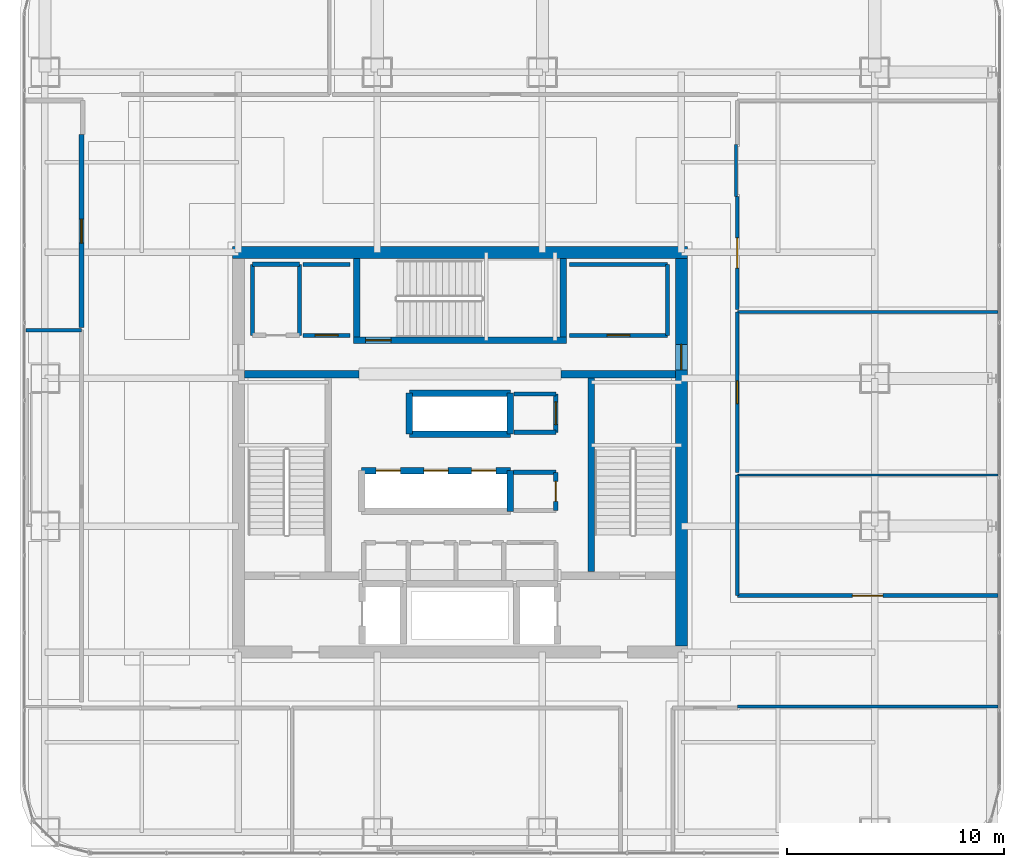
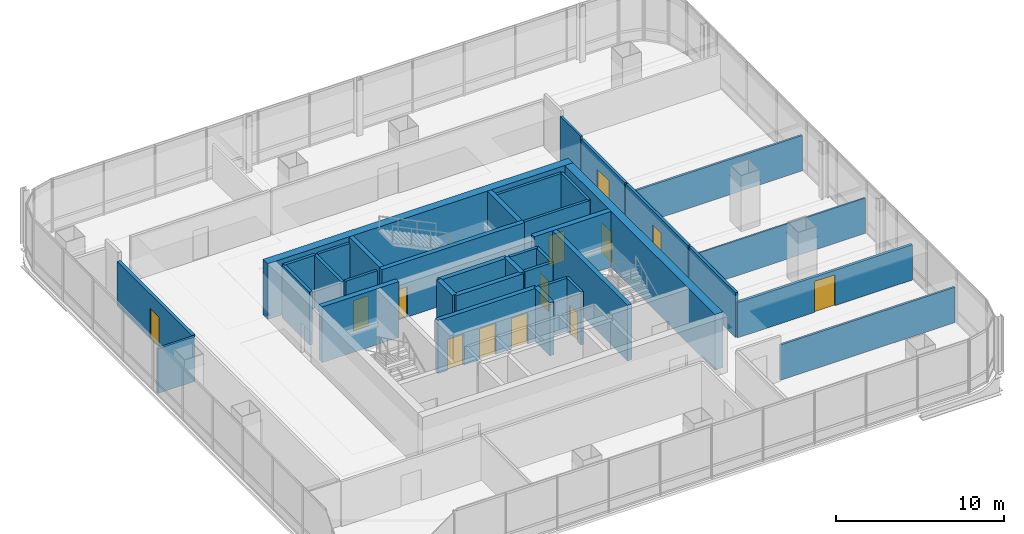
# One storey, part 34 of 42: 37 walls, 13 doors, 13 openings.
"""IFC4 building model written with IfcOpenShell, lengths in metres."""

from ifc_helpers import new_model, si_unit, direction, frame, frame_2d, origin, place, context, subcontext, project, spatial, rectangle, extrude, material, layer, layer_set, type_object, element, fill, save


model = new_model("IFC4")

# Units and contexts
model_context = context("Model", 3, precision=1e-05, world=origin(), true_north=direction((0.0, 1.0)))
body_context = subcontext(model_context, "Body", "Model", "MODEL_VIEW")
ifc_project = project(units=[si_unit("LENGTHUNIT", "METRE"), si_unit("AREAUNIT", "SQUARE_METRE"), si_unit("VOLUMEUNIT", "CUBIC_METRE"), si_unit("PLANEANGLEUNIT", "RADIAN"), si_unit("MASSUNIT", "GRAM", prefix="KILO")], contexts=[model_context])

# Site, building, storey
site_placement = place(None, origin())
site = spatial("IfcSite", under=ifc_project, at=site_placement, CompositionType="ELEMENT")
building_placement = place(site_placement, origin())
building = spatial("IfcBuilding", under=site, at=building_placement, Name="Punatoya Terracotta Tower", CompositionType="ELEMENT")
storey_placement = place(building_placement, frame((0.0, 0.0, 263.550048828125)))
storey = spatial("IfcBuildingStorey", under=building, at=storey_placement, Name="L62", CompositionType="ELEMENT", Elevation=263.550048828125)

# Wall
ifc_material_1 = material(Name="Concrete C50/60", Category="concrete")
ifc_layer_1 = layer(ifc_material_1, 0.550048828125)
ifc_layer_set_1 = layer_set([ifc_layer_1], Name="Concrete C50/60")
wall_type_1 = type_object("IfcWallType", Name="WL-COR-550", PredefinedType="SHEAR", material=ifc_layer_set_1)
wall_1_placement = place(storey_placement, frame((-10.47509765625, 9.199951171875, 0.0), z_axis=(0.0, 0.0, 1.0), x_axis=(1.0, 0.0, 0.0)))
element("IfcWall", 1, at=wall_1_placement, inside=storey, type_object=wall_type_1, Name="L62 Core Shear Wall N", PredefinedType="SHEAR", context=body_context, shape_type="SweptSolid", body=[
    extrude(rectangle(XDim=20.9501953125, YDim=0.550048828125, at=frame_2d((10.47509765625, 0.0))), origin(), (0.0, 0.0, 1.0), 4.050048828125),
])

# Wall, opening, door
wall_2_placement = place(storey_placement, frame((10.199951171875, 8.925048828125, 0.0), z_axis=(0.0, 0.0, 1.0), x_axis=(0.0, -1.0, 0.0)))
wall_2 = element("IfcWall", 2, at=wall_2_placement, inside=storey, type_object=wall_type_1, Name="L62 Core Shear Wall E", PredefinedType="SHEAR", context=body_context, shape_type="SweptSolid", body=[
    extrude(rectangle(XDim=17.85009765625, YDim=0.550048828125, at=frame_2d((8.925048828125, 0.0))), origin(), (0.0, 0.0, 1.0), 4.050048828125),
])
opening_1_placement = place(wall_2_placement, frame((3.955078125, 0.0, 0.0)))
opening_1 = element("IfcOpeningElement", 3, at=opening_1_placement, cuts=wall_2, Name="Opening SD-01", PredefinedType="OPENING", context=body_context, shape_type="SweptSolid", body=[
    extrude(rectangle(XDim=1.179931640625, YDim=2.199951171875, at=frame_2d((0.58984375, 1.10009765625))), frame((0.0, 0.284912109375, 0.0), z_axis=(0.0, -1.0, 0.0), x_axis=(1.0, 0.0, 0.0)), (0.0, 0.0, 1.0), 0.570068359375),
])
ifc_material_2 = material(Name="Galvanised Steel Pressurized Stair Fire Door", Category="steel")
door_type_1 = type_object("IfcDoorType", Name="DR-STR-1180", OperationType="NOTDEFINED", PredefinedType="DOOR", material=ifc_material_2)
door_1_placement = place(opening_1_placement, origin())
door_1 = element("IfcDoor", 4, at=door_1_placement, inside=storey, type_object=door_type_1, Name="L62 Central Lift Lobby East Fire Door", OperationType="SINGLE_SWING_RIGHT", OverallHeight=2.199951171875, OverallWidth=1.179931640625, PredefinedType="DOOR", context=body_context, shape_type="SweptSolid", body=[
    extrude(rectangle(XDim=1.179931640625, YDim=2.199951171875, at=frame_2d((0.58984375, 1.10009765625))), frame((0.0, 0.02490234375, 0.0), z_axis=(0.0, -1.0, 0.0), x_axis=(1.0, 0.0, 0.0)), (0.0, 0.0, 1.0), 0.050048828125),
])
fill(opening_1, door_1)

# Wall
ifc_material_3 = material(Name="Gypsum Fireboard + Steel Stud", Category="steel")
ifc_layer_2 = layer(ifc_material_3, 0.179931640625)
ifc_layer_set_2 = layer_set([ifc_layer_2], Name="Gypsum Fireboard + Steel Stud")
wall_type_2 = type_object("IfcWallType", Name="WL-CORR-180", PredefinedType="PARTITIONING", material=ifc_layer_set_2)
wall_3_placement = place(storey_placement, frame((-5.050048828125, 8.64990234375, 0.0), z_axis=(0.0, 0.0, 1.0), x_axis=(-1.0, 0.0, 0.0)))
element("IfcWall", 5, at=wall_3_placement, inside=storey, type_object=wall_type_2, Name="L62 West Core Print Room Partition 20", PredefinedType="PARTITIONING", context=body_context, shape_type="SweptSolid", body=[
    extrude(rectangle(XDim=2.169921875, YDim=0.179931640625, at=frame_2d((1.0849609375, 0.0))), origin(), (0.0, 0.0, 1.0), 3.849853515625),
])

# Wall, opening, door
wall_4_placement = place(storey_placement, frame((-7.219970703125, 5.3798828125, 0.0), z_axis=(0.0, 0.0, 1.0), x_axis=(1.0, 0.0, 0.0)))
wall_4 = element("IfcWall", 6, at=wall_4_placement, inside=storey, type_object=wall_type_2, Name="L62 West Core Print Room Partition 21", PredefinedType="PARTITIONING", context=body_context, shape_type="SweptSolid", body=[
    extrude(rectangle(XDim=2.169921875, YDim=0.179931640625, at=frame_2d((1.0849609375, 0.0))), origin(), (0.0, 0.0, 1.0), 3.849853515625),
])
opening_2_placement = place(wall_4_placement, frame((0.56005859375, 0.0, 0.0)))
opening_2 = element("IfcOpeningElement", 7, at=opening_2_placement, cuts=wall_4, Name="Opening OD-01", PredefinedType="OPENING", context=body_context, shape_type="SweptSolid", body=[
    extrude(rectangle(XDim=1.050048828125, YDim=2.199951171875, at=frame_2d((0.52490234375, 1.10009765625))), frame((0.0, 0.099853515625, 0.0), z_axis=(0.0, -1.0, 0.0), x_axis=(1.0, 0.0, 0.0)), (0.0, 0.0, 1.0), 0.199951171875),
])
ifc_material_4 = material(Name="Bengal Teak Solid-Core Leaf")
door_type_2 = type_object("IfcDoorType", Name="DR-OFF-1050", OperationType="NOTDEFINED", PredefinedType="DOOR", material=ifc_material_4)
door_2_placement = place(opening_2_placement, origin())
door_2 = element("IfcDoor", 8, at=door_2_placement, inside=storey, type_object=door_type_2, Name="L62 West Print Room Door", OperationType="SINGLE_SWING_RIGHT", OverallHeight=2.199951171875, OverallWidth=1.050048828125, PredefinedType="DOOR", context=body_context, shape_type="SweptSolid", body=[
    extrude(rectangle(XDim=1.050048828125, YDim=2.199951171875, at=frame_2d((0.52490234375, 1.10009765625))), frame((0.0, 0.02490234375, 0.0), z_axis=(0.0, -1.0, 0.0), x_axis=(1.0, 0.0, 0.0)), (0.0, 0.0, 1.0), 0.050048828125),
])
fill(opening_2, door_2)

# Walls
wall_5_placement = place(storey_placement, frame((9.550048828125, 5.3798828125, 0.0), z_axis=(0.0, 0.0, 1.0), x_axis=(0.0, 1.0, 0.0)))
element("IfcWall", 9, at=wall_5_placement, inside=storey, type_object=wall_type_2, Name="L62 East Core Wellness Room Partition 22", PredefinedType="PARTITIONING", context=body_context, shape_type="SweptSolid", body=[
    extrude(rectangle(XDim=3.27001953125, YDim=0.179931640625, at=frame_2d((1.635009765625, 0.0))), origin(), (0.0, 0.0, 1.0), 3.849853515625),
])
wall_6_placement = place(storey_placement, frame((9.550048828125, 8.64990234375, 0.0), z_axis=(0.0, 0.0, 1.0), x_axis=(-1.0, 0.0, 0.0)))
element("IfcWall", 10, at=wall_6_placement, inside=storey, type_object=wall_type_2, Name="L62 East Core Wellness Room Partition 23", PredefinedType="PARTITIONING", context=body_context, shape_type="SweptSolid", body=[
    extrude(rectangle(XDim=4.5, YDim=0.179931640625, at=frame_2d((2.25, 0.0))), origin(), (0.0, 0.0, 1.0), 3.849853515625),
])

# Wall, opening, door
wall_7_placement = place(storey_placement, frame((5.050048828125, 5.3798828125, 0.0), z_axis=(0.0, 0.0, 1.0), x_axis=(1.0, 0.0, 0.0)))
wall_7 = element("IfcWall", 11, at=wall_7_placement, inside=storey, type_object=wall_type_2, Name="L62 East Core Wellness Room Partition 24", PredefinedType="PARTITIONING", context=body_context, shape_type="SweptSolid", body=[
    extrude(rectangle(XDim=4.5, YDim=0.179931640625, at=frame_2d((2.25, 0.0))), origin(), (0.0, 0.0, 1.0), 3.849853515625),
])
opening_3_placement = place(wall_7_placement, frame((1.72509765625, 0.0, 0.0)))
opening_3 = element("IfcOpeningElement", 12, at=opening_3_placement, cuts=wall_7, Name="Opening OD-01", PredefinedType="OPENING", context=body_context, shape_type="SweptSolid", body=[
    extrude(rectangle(XDim=1.050048828125, YDim=2.199951171875, at=frame_2d((0.52490234375, 1.10009765625))), frame((0.0, 0.099853515625, 0.0), z_axis=(0.0, -1.0, 0.0), x_axis=(1.0, 0.0, 0.0)), (0.0, 0.0, 1.0), 0.199951171875),
])
door_3_placement = place(opening_3_placement, origin())
door_3 = element("IfcDoor", 13, at=door_3_placement, inside=storey, type_object=door_type_2, Name="L62 East Wellness Room Door", OperationType="SINGLE_SWING_LEFT", OverallHeight=2.199951171875, OverallWidth=1.050048828125, PredefinedType="DOOR", context=body_context, shape_type="SweptSolid", body=[
    extrude(rectangle(XDim=1.050048828125, YDim=2.199951171875, at=frame_2d((0.52490234375, 1.10009765625))), frame((0.0, 0.02490234375, 0.0), z_axis=(0.0, -1.0, 0.0), x_axis=(1.0, 0.0, 0.0)), (0.0, 0.0, 1.0), 0.050048828125),
])
fill(opening_3, door_3)

wall_8_placement = place(storey_placement, frame((24.77001953125, -6.60009765625, 0.0), z_axis=(0.0, 0.0, 1.0), x_axis=(-1.0, 0.0, 0.0)))
wall_8 = element("IfcWall", 14, at=wall_8_placement, inside=storey, type_object=wall_type_2, Name="L62 Open-Plan Press Briefing Room Partition 33", PredefinedType="PARTITIONING", context=body_context, shape_type="SweptSolid", body=[
    extrude(rectangle(XDim=12.0, YDim=0.179931640625, at=frame_2d((6.0, 0.0))), origin(), (0.0, 0.0, 1.0), 2.56396484375),
])
opening_4_placement = place(wall_8_placement, frame((5.300048828125, 0.0, 0.0)))
opening_4 = element("IfcOpeningElement", 15, at=opening_4_placement, cuts=wall_8, Name="Opening BD-01", PredefinedType="OPENING", context=body_context, shape_type="SweptSolid", body=[
    extrude(rectangle(XDim=1.39990234375, YDim=2.25, at=frame_2d((0.699951171875, 1.125))), frame((0.0, 0.099853515625, 0.0), z_axis=(0.0, -1.0, 0.0), x_axis=(1.0, 0.0, 0.0)), (0.0, 0.0, 1.0), 0.199951171875),
])
ifc_material_5 = material(Name="Bengal Teak Acoustic Leaf")
door_type_3 = type_object("IfcDoorType", Name="DR-BRD-1400", OperationType="NOTDEFINED", PredefinedType="DOOR", material=ifc_material_5)
door_4_placement = place(opening_4_placement, origin())
door_4 = element("IfcDoor", 16, at=door_4_placement, inside=storey, type_object=door_type_3, Name="L62 Open-Plan Press Briefing Room Door", OperationType="SINGLE_SWING_LEFT", OverallHeight=2.25, OverallWidth=1.39990234375, PredefinedType="DOOR", context=body_context, shape_type="SweptSolid", body=[
    extrude(rectangle(XDim=1.39990234375, YDim=2.25, at=frame_2d((0.699951171875, 1.125))), frame((0.0, 0.02490234375, 0.0), z_axis=(0.0, -1.0, 0.0), x_axis=(1.0, 0.0, 0.0)), (0.0, 0.0, 1.0), 0.050048828125),
])
fill(opening_4, door_4)

# Wall
wall_9_placement = place(storey_placement, frame((12.77001953125, -6.60009765625, 0.0), z_axis=(0.0, 0.0, 1.0), x_axis=(0.0, 1.0, 0.0)))
element("IfcWall", 17, at=wall_9_placement, inside=storey, type_object=wall_type_2, Name="L62 Open-Plan Press Briefing Room Partition 34", PredefinedType="PARTITIONING", context=body_context, shape_type="SweptSolid", body=[
    extrude(rectangle(XDim=5.55419921875, YDim=0.179931640625, at=frame_2d((2.777099609375, 0.0))), origin(), (0.0, 0.0, 1.0), 3.243896484375),
])

# Wall, opening, door
wall_10_placement = place(storey_placement, frame((12.77001953125, -0.926025390625, 0.0), z_axis=(0.0, 0.0, 1.0), x_axis=(0.0, 1.0, 0.0)))
wall_10 = element("IfcWall", 18, at=wall_10_placement, inside=storey, type_object=wall_type_2, Name="L62 Open-Plan Acoustic Wellness Room Partition 38", PredefinedType="PARTITIONING", context=body_context, shape_type="SweptSolid", body=[
    extrude(rectangle(XDim=7.385986328125, YDim=0.179931640625, at=frame_2d((3.69287109375, 0.0))), origin(), (0.0, 0.0, 1.0), 3.243896484375),
])
opening_5_placement = place(wall_10_placement, frame((3.16796875, 0.0, 0.0)))
opening_5 = element("IfcOpeningElement", 19, at=opening_5_placement, cuts=wall_10, Name="Opening OD-01", PredefinedType="OPENING", context=body_context, shape_type="SweptSolid", body=[
    extrude(rectangle(XDim=1.050048828125, YDim=2.199951171875, at=frame_2d((0.52490234375, 1.10009765625))), frame((0.0, 0.099853515625, 0.0), z_axis=(0.0, -1.0, 0.0), x_axis=(1.0, 0.0, 0.0)), (0.0, 0.0, 1.0), 0.199951171875),
])
door_5_placement = place(opening_5_placement, origin())
door_5 = element("IfcDoor", 20, at=door_5_placement, inside=storey, type_object=door_type_2, Name="L62 Open-Plan Acoustic Wellness Room Door", OperationType="SINGLE_SWING_LEFT", OverallHeight=2.199951171875, OverallWidth=1.050048828125, PredefinedType="DOOR", context=body_context, shape_type="SweptSolid", body=[
    extrude(rectangle(XDim=1.050048828125, YDim=2.199951171875, at=frame_2d((0.52490234375, 1.10009765625))), frame((0.0, 0.02490234375, 0.0), z_axis=(0.0, -1.0, 0.0), x_axis=(1.0, 0.0, 0.0)), (0.0, 0.0, 1.0), 0.050048828125),
])
fill(opening_5, door_5)

wall_11_placement = place(storey_placement, frame((12.77001953125, 6.580078125, 0.0), z_axis=(0.0, 0.0, 1.0), x_axis=(0.0, 1.0, 0.0)))
wall_11 = element("IfcWall", 21, at=wall_11_placement, inside=storey, type_object=wall_type_2, Name="L62 Editorial Conference Room Partition 43", PredefinedType="PARTITIONING", context=body_context, shape_type="SweptSolid", body=[
    extrude(rectangle(XDim=5.18994140625, YDim=0.179931640625, at=frame_2d((2.594970703125, 0.0))), origin(), (0.0, 0.0, 1.0), 3.243896484375),
])
opening_6_placement = place(wall_11_placement, frame((1.89501953125, 0.0, 0.0)))
opening_6 = element("IfcOpeningElement", 22, at=opening_6_placement, cuts=wall_11, Name="Opening BD-01", PredefinedType="OPENING", context=body_context, shape_type="SweptSolid", body=[
    extrude(rectangle(XDim=1.39990234375, YDim=2.25, at=frame_2d((0.699951171875, 1.125))), frame((0.0, 0.099853515625, 0.0), z_axis=(0.0, -1.0, 0.0), x_axis=(1.0, 0.0, 0.0)), (0.0, 0.0, 1.0), 0.199951171875),
])
door_6_placement = place(opening_6_placement, origin())
door_6 = element("IfcDoor", 23, at=door_6_placement, inside=storey, type_object=door_type_3, Name="L62 Editorial Conference Room Door", OperationType="SINGLE_SWING_LEFT", OverallHeight=2.25, OverallWidth=1.39990234375, PredefinedType="DOOR", context=body_context, shape_type="SweptSolid", body=[
    extrude(rectangle(XDim=1.39990234375, YDim=2.25, at=frame_2d((0.699951171875, 1.125))), frame((0.0, 0.02490234375, 0.0), z_axis=(0.0, -1.0, 0.0), x_axis=(1.0, 0.0, 0.0)), (0.0, 0.0, 1.0), 0.050048828125),
])
fill(opening_6, door_6)

ifc_material_6 = material(Name="Concrete C40/50", Category="concrete")
ifc_layer_3 = layer(ifc_material_6, 0.219970703125)
ifc_layer_set_3 = layer_set([ifc_layer_3], Name="Concrete C40/50")
wall_type_3 = type_object("IfcWallType", Name="WL-FIR-220", PredefinedType="SOLIDWALL", material=ifc_layer_set_3)
wall_12_placement = place(storey_placement, frame((-17.419921875, 14.6201171875, 0.0), z_axis=(0.0, 0.0, 1.0), x_axis=(0.0, -1.0, 0.0)))
wall_12 = element("IfcWall", 24, at=wall_12_placement, inside=storey, type_object=wall_type_3, Name="L62 Model-Making Archive Partition 42", PredefinedType="SOLIDWALL", context=body_context, shape_type="SweptSolid", body=[
    extrude(rectangle(XDim=8.8740234375, YDim=0.219970703125, at=frame_2d((4.43701171875, 0.0))), origin(), (0.0, 0.0, 1.0), 3.243896484375),
])
opening_7_placement = place(wall_12_placement, frame((3.886962890625, 0.0, 0.0)))
opening_7 = element("IfcOpeningElement", 25, at=opening_7_placement, cuts=wall_12, Name="Opening FD-P1", PredefinedType="OPENING", context=body_context, shape_type="SweptSolid", body=[
    extrude(rectangle(XDim=1.10009765625, YDim=2.199951171875, at=frame_2d((0.550048828125, 1.10009765625))), frame((0.0, 0.119873046875, 0.0), z_axis=(0.0, -1.0, 0.0), x_axis=(1.0, 0.0, 0.0)), (0.0, 0.0, 1.0), 0.239990234375),
])
ifc_material_7 = material(Name="Galvanised Steel Plant Fire Door", Category="steel")
door_type_4 = type_object("IfcDoorType", Name="DR-PLT-1100", OperationType="NOTDEFINED", PredefinedType="DOOR", material=ifc_material_7)
door_7_placement = place(opening_7_placement, origin())
door_7 = element("IfcDoor", 26, at=door_7_placement, inside=storey, type_object=door_type_4, Name="L62 Model-Making Archive Fire Door", OperationType="SINGLE_SWING_RIGHT", OverallHeight=2.199951171875, OverallWidth=1.10009765625, PredefinedType="DOOR", context=body_context, shape_type="SweptSolid", body=[
    extrude(rectangle(XDim=1.10009765625, YDim=2.199951171875, at=frame_2d((0.550048828125, 1.10009765625))), frame((0.0, 0.02490234375, 0.0), z_axis=(0.0, -1.0, 0.0), x_axis=(1.0, 0.0, 0.0)), (0.0, 0.0, 1.0), 0.050048828125),
])
fill(opening_7, door_7)

# Wall
ifc_material_8 = material(Name="Aluminium Framed Acoustic Glass Partition", Category="aluminium")
ifc_layer_4 = layer(ifc_material_8, 0.10009765625)
ifc_layer_set_4 = layer_set([ifc_layer_4], Name="Aluminium Framed Acoustic Glass Partition")
wall_type_4 = type_object("IfcWallType", Name="WL-GLZ-100", PredefinedType="PARTITIONING", material=ifc_layer_set_4)
wall_13_placement = place(storey_placement, frame((12.77001953125, -1.0458984375, 0.0), z_axis=(0.0, 0.0, 1.0), x_axis=(1.0, 0.0, 0.0)))
element("IfcWall", 27, at=wall_13_placement, inside=storey, type_object=wall_type_4, Name="L62 Open-Plan Press Briefing Room Partition 35", PredefinedType="PARTITIONING", context=body_context, shape_type="SweptSolid", body=[
    extrude(rectangle(XDim=12.0, YDim=0.10009765625, at=frame_2d((6.0, 0.0))), origin(), (0.0, 0.0, 1.0), 2.56396484375),
])

# Wall, opening, door
ifc_layer_5 = layer(ifc_material_6, 0.199951171875)
ifc_layer_set_5 = layer_set([ifc_layer_5], Name="Concrete C40/50")
wall_type_5 = type_object("IfcWallType", Name="WL-INT-200", PredefinedType="SOLIDWALL", material=ifc_layer_set_5)
wall_14_placement = place(storey_placement, frame((4.419921875, -2.679931640625, 0.0), z_axis=(0.0, 0.0, 1.0), x_axis=(0.0, 1.0, 0.0)))
wall_14 = element("IfcWall", 28, at=wall_14_placement, inside=storey, type_object=wall_type_5, Name="L62 East Core Reprographics Store Partition 10", PredefinedType="SOLIDWALL", context=body_context, shape_type="SweptSolid", body=[
    extrude(rectangle(XDim=1.760009765625, YDim=0.199951171875, at=frame_2d((0.8798828125, 0.0))), origin(), (0.0, 0.0, 1.0), 3.849853515625),
])
opening_8_placement = place(wall_14_placement, frame((0.419921875, 0.0, 0.0)))
opening_8 = element("IfcOpeningElement", 29, at=opening_8_placement, cuts=wall_14, Name="Opening FD-R1", PredefinedType="OPENING", context=body_context, shape_type="SweptSolid", body=[
    extrude(rectangle(XDim=0.919921875, YDim=2.10009765625, at=frame_2d((0.4599609375, 1.050048828125))), frame((0.0, 0.10986328125, 0.0), z_axis=(0.0, -1.0, 0.0), x_axis=(1.0, 0.0, 0.0)), (0.0, 0.0, 1.0), 0.219970703125),
])
ifc_material_9 = material(Name="Galvanised Steel Riser Fire Access Door", Category="steel")
door_type_5 = type_object("IfcDoorType", Name="DR-RSR-920", OperationType="NOTDEFINED", PredefinedType="DOOR", material=ifc_material_9)
door_8_placement = place(opening_8_placement, origin())
door_8 = element("IfcDoor", 30, at=door_8_placement, inside=storey, type_object=door_type_5, Name="L62 East Core Reprographics Store Fire Door", OperationType="SINGLE_SWING_LEFT", OverallHeight=2.10009765625, OverallWidth=0.919921875, PredefinedType="DOOR", context=body_context, shape_type="SweptSolid", body=[
    extrude(rectangle(XDim=0.919921875, YDim=2.10009765625, at=frame_2d((0.4599609375, 1.050048828125))), frame((0.0, 0.02490234375, 0.0), z_axis=(0.0, -1.0, 0.0), x_axis=(1.0, 0.0, 0.0)), (0.0, 0.0, 1.0), 0.050048828125),
])
fill(opening_8, door_8)

# Wall
wall_15_placement = place(storey_placement, frame((4.419921875, -0.919921875, 0.0), z_axis=(0.0, 0.0, 1.0), x_axis=(-1.0, 0.0, 0.0)))
element("IfcWall", 31, at=wall_15_placement, inside=storey, type_object=wall_type_5, Name="L62 East Core Reprographics Store Partition 11", PredefinedType="SOLIDWALL", context=body_context, shape_type="SweptSolid", body=[
    extrude(rectangle(XDim=1.93994140625, YDim=0.199951171875, at=frame_2d((0.969970703125, 0.0))), origin(), (0.0, 0.0, 1.0), 3.849853515625),
])

# Wall, opening, door
wall_16_placement = place(storey_placement, frame((4.419921875, 0.919921875, 0.0), z_axis=(0.0, 0.0, 1.0), x_axis=(0.0, 1.0, 0.0)))
wall_16 = element("IfcWall", 32, at=wall_16_placement, inside=storey, type_object=wall_type_5, Name="L62 Executive Steward Pantry Partition 13", PredefinedType="SOLIDWALL", context=body_context, shape_type="SweptSolid", body=[
    extrude(rectangle(XDim=1.760009765625, YDim=0.199951171875, at=frame_2d((0.8798828125, 0.0))), origin(), (0.0, 0.0, 1.0), 3.849853515625),
])
opening_9_placement = place(wall_16_placement, frame((0.35498046875, 0.0, 0.0)))
opening_9 = element("IfcOpeningElement", 33, at=opening_9_placement, cuts=wall_16, Name="Opening OD-01", PredefinedType="OPENING", context=body_context, shape_type="SweptSolid", body=[
    extrude(rectangle(XDim=1.050048828125, YDim=2.199951171875, at=frame_2d((0.52490234375, 1.10009765625))), frame((0.0, 0.10986328125, 0.0), z_axis=(0.0, -1.0, 0.0), x_axis=(1.0, 0.0, 0.0)), (0.0, 0.0, 1.0), 0.219970703125),
])
door_9_placement = place(opening_9_placement, origin())
door_9 = element("IfcDoor", 34, at=door_9_placement, inside=storey, type_object=door_type_2, Name="L62 Executive Steward Pantry Door", OperationType="SINGLE_SWING_RIGHT", OverallHeight=2.199951171875, OverallWidth=1.050048828125, PredefinedType="DOOR", context=body_context, shape_type="SweptSolid", body=[
    extrude(rectangle(XDim=1.050048828125, YDim=2.199951171875, at=frame_2d((0.52490234375, 1.10009765625))), frame((0.0, 0.02490234375, 0.0), z_axis=(0.0, -1.0, 0.0), x_axis=(1.0, 0.0, 0.0)), (0.0, 0.0, 1.0), 0.050048828125),
])
fill(opening_9, door_9)

# Walls
for number, where, z_axis, x_axis, name in (
    (35, (4.419921875, 2.679931640625, 0.0), (0.0, 0.0, 1.0), (-1.0, 0.0, 0.0), "L62 Executive Steward Pantry Partition 14"),
    (36, (2.5, 0.919921875, 0.0), (0.0, 0.0, 1.0), (1.0, 0.0, 0.0), "L62 Executive Steward Pantry Partition 15"),
):
    element("IfcWall", number, at=place(storey_placement, frame(where, z_axis=z_axis, x_axis=x_axis)), inside=storey, type_object=wall_type_5, Name=name, PredefinedType="SOLIDWALL", context=body_context, shape_type="SweptSolid", body=[
        extrude(rectangle(XDim=1.919921875, YDim=0.199951171875, at=frame_2d((0.9599609375, 0.0))), origin(), (0.0, 0.0, 1.0), 3.849853515625),
    ])
wall_17_placement = place(storey_placement, frame((-7.3798828125, 5.3798828125, 0.0), z_axis=(0.0, 0.0, 1.0), x_axis=(0.0, 1.0, 0.0)))
element("IfcWall", 37, at=wall_17_placement, inside=storey, type_object=wall_type_5, Name="L62 West Core Archive Vault Partition 16", PredefinedType="SOLIDWALL", context=body_context, shape_type="SweptSolid", body=[
    extrude(rectangle(XDim=3.27001953125, YDim=0.199951171875, at=frame_2d((1.635009765625, 0.0))), origin(), (0.0, 0.0, 1.0), 3.849853515625),
])
wall_18_placement = place(storey_placement, frame((-7.3798828125, 8.64990234375, 0.0), z_axis=(0.0, 0.0, 1.0), x_axis=(-1.0, 0.0, 0.0)))
element("IfcWall", 38, at=wall_18_placement, inside=storey, type_object=wall_type_5, Name="L62 West Core Archive Vault Partition 17", PredefinedType="SOLIDWALL", context=body_context, shape_type="SweptSolid", body=[
    extrude(rectangle(XDim=2.170166015625, YDim=0.199951171875, at=frame_2d((1.0849609375, 0.0))), origin(), (0.0, 0.0, 1.0), 3.849853515625),
])
wall_19_placement = place(storey_placement, frame((-9.550048828125, 8.64990234375, 0.0), z_axis=(0.0, 0.0, 1.0), x_axis=(0.0, -1.0, 0.0)))
element("IfcWall", 39, at=wall_19_placement, inside=storey, type_object=wall_type_5, Name="L62 West Core Archive Vault Partition 18", PredefinedType="SOLIDWALL", context=body_context, shape_type="SweptSolid", body=[
    extrude(rectangle(XDim=3.27001953125, YDim=0.199951171875, at=frame_2d((1.635009765625, 0.0))), origin(), (0.0, 0.0, 1.0), 3.849853515625),
])
ifc_material_10 = material(Name="Acoustic Gypsum + Steel Stud", Category="steel")
ifc_layer_6 = layer(ifc_material_10, 0.139892578125)
ifc_layer_set_6 = layer_set([ifc_layer_6], Name="Acoustic Gypsum + Steel Stud")
wall_type_6 = type_object("IfcWallType", Name="WL-OFF-140", PredefinedType="PARTITIONING", material=ifc_layer_set_6)
for number, where, z_axis, x_axis, name in (
    (40, (12.77001953125, -11.7099609375, 0.0), (0.0, 0.0, 1.0), (1.0, 0.0, 0.0), "L62 Open-Plan Graphic Design Workplace Partition 31"),
    (41, (12.77001953125, 6.4599609375, 0.0), (0.0, 0.0, 1.0), (1.0, 0.0, 0.0), "L62 Open-Plan Acoustic Wellness Room Partition 39"),
):
    element("IfcWall", number, at=place(storey_placement, frame(where, z_axis=z_axis, x_axis=x_axis)), inside=storey, type_object=wall_type_6, Name=name, PredefinedType="PARTITIONING", context=body_context, shape_type="SweptSolid", body=[
        extrude(rectangle(XDim=12.0, YDim=0.139892578125, at=frame_2d((6.0, 0.0))), origin(), (0.0, 0.0, 1.0), 2.56396484375),
    ])
wall_20_placement = place(storey_placement, frame((12.7099609375, 11.77001953125, 0.0), z_axis=(0.0, 0.0, 1.0), x_axis=(0.0, 1.0, 0.0)))
element("IfcWall", 42, at=wall_20_placement, inside=storey, type_object=wall_type_6, Name="L62 Editorial Conference Room Partition 44", PredefinedType="PARTITIONING", context=body_context, shape_type="SweptSolid", body=[
    extrude(rectangle(XDim=2.409912109375, YDim=0.139892578125, at=frame_2d((1.205078125, 0.0))), origin(), (0.0, 0.0, 1.0), 3.48388671875),
])
ifc_layer_7 = layer(ifc_material_6, 0.300048828125)
ifc_layer_set_7 = layer_set([ifc_layer_7], Name="Concrete C40/50")
wall_type_7 = type_object("IfcWallType", Name="WL-SHF-300", PredefinedType="SOLIDWALL", material=ifc_layer_set_7)
wall_21_placement = place(storey_placement, frame((6.050048828125, 3.449951171875, 0.0), z_axis=(0.0, 0.0, 1.0), x_axis=(0.0, -1.0, 0.0)))
element("IfcWall", 43, at=wall_21_placement, inside=storey, type_object=wall_type_7, Name="L62 Structural Stair Shaft Wall SW-ST2-W", PredefinedType="SOLIDWALL", context=body_context, shape_type="SweptSolid", body=[
    extrude(rectangle(XDim=8.949951171875, YDim=0.300048828125, at=frame_2d((4.47509765625, 0.0))), origin(), (0.0, 0.0, 1.0), 4.050048828125),
])
for number, where, z_axis, x_axis, name in (
    (44, (-4.75, 5.300048828125, 0.0), (0.0, 0.0, 1.0), (0.0, 1.0, 0.0), "L62 Structural Stair Shaft Wall SW-ST3-W"),
    (45, (4.75, 8.925048828125, 0.0), (0.0, 0.0, 1.0), (0.0, -1.0, 0.0), "L62 Structural Stair Shaft Wall SW-ST3-E"),
):
    element("IfcWall", number, at=place(storey_placement, frame(where, z_axis=z_axis, x_axis=x_axis)), inside=storey, type_object=wall_type_7, Name=name, PredefinedType="SOLIDWALL", context=body_context, shape_type="SweptSolid", body=[
        extrude(rectangle(XDim=3.625, YDim=0.300048828125, at=frame_2d((1.8125, 0.0))), origin(), (0.0, 0.0, 1.0), 4.050048828125),
    ])

# Wall, opening, door
wall_22_placement = place(storey_placement, frame((-4.89990234375, 5.14990234375, 0.0), z_axis=(0.0, 0.0, 1.0), x_axis=(1.0, 0.0, 0.0)))
wall_22 = element("IfcWall", 46, at=wall_22_placement, inside=storey, type_object=wall_type_7, Name="L62 Structural Stair Shaft Wall SW-ST3-S", PredefinedType="SOLIDWALL", context=body_context, shape_type="SweptSolid", body=[
    extrude(rectangle(XDim=9.7998046875, YDim=0.300048828125, at=frame_2d((4.89990234375, 0.0))), origin(), (0.0, 0.0, 1.0), 4.050048828125),
])
opening_10_placement = place(wall_22_placement, frame((0.56005859375, 0.0, 0.0)))
opening_10 = element("IfcOpeningElement", 47, at=opening_10_placement, cuts=wall_22, Name="Opening SD-01", PredefinedType="OPENING", context=body_context, shape_type="SweptSolid", body=[
    extrude(rectangle(XDim=1.179931640625, YDim=2.199951171875, at=frame_2d((0.58984375, 1.10009765625))), frame((0.0, 0.159912109375, 0.0), z_axis=(0.0, -1.0, 0.0), x_axis=(1.0, 0.0, 0.0)), (0.0, 0.0, 1.0), 0.320068359375),
])
door_10_placement = place(opening_10_placement, origin())
door_10 = element("IfcDoor", 48, at=door_10_placement, inside=storey, type_object=door_type_1, Name="L62 Stair ST-3 Core Lobby Fire Door", OperationType="SINGLE_SWING_LEFT", OverallHeight=2.199951171875, OverallWidth=1.179931640625, PredefinedType="DOOR", context=body_context, shape_type="SweptSolid", body=[
    extrude(rectangle(XDim=1.179931640625, YDim=2.199951171875, at=frame_2d((0.58984375, 1.10009765625))), frame((0.0, 0.02490234375, 0.0), z_axis=(0.0, -1.0, 0.0), x_axis=(1.0, 0.0, 0.0)), (0.0, 0.0, 1.0), 0.050048828125),
])
fill(opening_10, door_10)

# Wall, openings, doors
wall_23_placement = place(storey_placement, frame((-4.52001953125, -0.840087890625, 0.0), z_axis=(0.0, 0.0, 1.0), x_axis=(1.0, 0.0, 0.0)))
wall_23 = element("IfcWall", 49, at=wall_23_placement, inside=storey, type_object=wall_type_7, Name="L62 South Lift Bank Front Shaft Wall", PredefinedType="SOLIDWALL", context=body_context, shape_type="SweptSolid", body=[
    extrude(rectangle(XDim=6.840087890625, YDim=0.300048828125, at=frame_2d((3.419921875, 0.0))), origin(), (0.0, 0.0, 1.0), 3.849853515625),
])
opening_11_placement = place(wall_23_placement, frame((0.659912109375, 0.0, 0.0)))
opening_11 = element("IfcOpeningElement", 50, at=opening_11_placement, cuts=wall_23, Name="Opening LD-02", PredefinedType="OPENING", context=body_context, shape_type="SweptSolid", body=[
    extrude(rectangle(XDim=1.1201171875, YDim=2.25, at=frame_2d((0.56005859375, 1.125))), frame((0.0, 0.159912109375, 0.0), z_axis=(0.0, -1.0, 0.0), x_axis=(1.0, 0.0, 0.0)), (0.0, 0.0, 1.0), 0.320068359375),
])
opening_12_placement = place(wall_23_placement, frame((2.860107421875, 0.0, 0.0)))
opening_12 = element("IfcOpeningElement", 51, at=opening_12_placement, cuts=wall_23, Name="Opening LD-02", PredefinedType="OPENING", context=body_context, shape_type="SweptSolid", body=[
    extrude(rectangle(XDim=1.1201171875, YDim=2.25, at=frame_2d((0.56005859375, 1.125))), frame((0.0, 0.159912109375, 0.0), z_axis=(0.0, -1.0, 0.0), x_axis=(1.0, 0.0, 0.0)), (0.0, 0.0, 1.0), 0.320068359375),
])
opening_13_placement = place(wall_23_placement, frame((5.06005859375, 0.0, 0.0)))
opening_13 = element("IfcOpeningElement", 52, at=opening_13_placement, cuts=wall_23, Name="Opening LD-02", PredefinedType="OPENING", context=body_context, shape_type="SweptSolid", body=[
    extrude(rectangle(XDim=1.1201171875, YDim=2.25, at=frame_2d((0.56005859375, 1.125))), frame((0.0, 0.159912109375, 0.0), z_axis=(0.0, -1.0, 0.0), x_axis=(1.0, 0.0, 0.0)), (0.0, 0.0, 1.0), 0.320068359375),
])
ifc_material_11 = material(Name="Stainless Steel Lift Landing Door", Category="steel")
door_type_6 = type_object("IfcDoorType", Name="DR-LND-1120", OperationType="NOTDEFINED", PredefinedType="DOOR", material=ifc_material_11)
door_11_placement = place(opening_11_placement, origin())
door_11 = element("IfcDoor", 53, at=door_11_placement, inside=storey, type_object=door_type_6, Name="L62 Lift PL-H1 Sliding Landing Door", OperationType="DOUBLE_DOOR_SLIDING", OverallHeight=2.25, OverallWidth=1.1201171875, PredefinedType="DOOR", context=body_context, shape_type="SweptSolid", body=[
    extrude(rectangle(XDim=1.1201171875, YDim=2.25, at=frame_2d((0.56005859375, 1.125))), frame((0.0, 0.02490234375, 0.0), z_axis=(0.0, -1.0, 0.0), x_axis=(1.0, 0.0, 0.0)), (0.0, 0.0, 1.0), 0.050048828125),
])
fill(opening_11, door_11)
door_12_placement = place(opening_12_placement, origin())
door_12 = element("IfcDoor", 54, at=door_12_placement, inside=storey, type_object=door_type_6, Name="L62 Lift PL-H2 Sliding Landing Door", OperationType="DOUBLE_DOOR_SLIDING", OverallHeight=2.25, OverallWidth=1.1201171875, PredefinedType="DOOR", context=body_context, shape_type="SweptSolid", body=[
    extrude(rectangle(XDim=1.1201171875, YDim=2.25, at=frame_2d((0.56005859375, 1.125))), frame((0.0, 0.02490234375, 0.0), z_axis=(0.0, -1.0, 0.0), x_axis=(1.0, 0.0, 0.0)), (0.0, 0.0, 1.0), 0.050048828125),
])
fill(opening_12, door_12)
door_13_placement = place(opening_13_placement, origin())
door_13 = element("IfcDoor", 55, at=door_13_placement, inside=storey, type_object=door_type_6, Name="L62 Lift PL-H3 Sliding Landing Door", OperationType="DOUBLE_DOOR_SLIDING", OverallHeight=2.25, OverallWidth=1.1201171875, PredefinedType="DOOR", context=body_context, shape_type="SweptSolid", body=[
    extrude(rectangle(XDim=1.1201171875, YDim=2.25, at=frame_2d((0.56005859375, 1.125))), frame((0.0, 0.02490234375, 0.0), z_axis=(0.0, -1.0, 0.0), x_axis=(1.0, 0.0, 0.0)), (0.0, 0.0, 1.0), 0.050048828125),
])
fill(opening_13, door_13)

# Walls
wall_24_placement = place(storey_placement, frame((2.320068359375, -2.719970703125, 0.0), z_axis=(0.0, 0.0, 1.0), x_axis=(0.0, 1.0, 0.0)))
element("IfcWall", 56, at=wall_24_placement, inside=storey, type_object=wall_type_7, Name="L62 South Lift Bank East End Wall", PredefinedType="SOLIDWALL", context=body_context, shape_type="SweptSolid", body=[
    extrude(rectangle(XDim=1.8798828125, YDim=0.300048828125, at=frame_2d((0.93994140625, 0.0))), origin(), (0.0, 0.0, 1.0), 3.849853515625),
])
for number, where, z_axis, x_axis, name in (
    (57, (-2.320068359375, 0.840087890625, 0.0), (0.0, 0.0, 1.0), (1.0, 0.0, 0.0), "L62 North Lift Bank Front Shaft Wall"),
    (58, (-2.320068359375, 2.719970703125, 0.0), (0.0, 0.0, 1.0), (1.0, 0.0, 0.0), "L62 North Lift Bank Rear Shaft Wall"),
):
    element("IfcWall", number, at=place(storey_placement, frame(where, z_axis=z_axis, x_axis=x_axis)), inside=storey, type_object=wall_type_7, Name=name, PredefinedType="SOLIDWALL", context=body_context, shape_type="SweptSolid", body=[
        extrude(rectangle(XDim=4.64013671875, YDim=0.300048828125, at=frame_2d((2.320068359375, 0.0))), origin(), (0.0, 0.0, 1.0), 3.849853515625),
    ])
for number, where, z_axis, x_axis, name in (
    (59, (-2.320068359375, 0.840087890625, 0.0), (0.0, 0.0, 1.0), (0.0, 1.0, 0.0), "L62 North Lift Bank West End Wall"),
    (60, (2.320068359375, 0.840087890625, 0.0), (0.0, 0.0, 1.0), (0.0, 1.0, 0.0), "L62 North Lift Bank East End Wall"),
):
    element("IfcWall", number, at=place(storey_placement, frame(where, z_axis=z_axis, x_axis=x_axis)), inside=storey, type_object=wall_type_7, Name=name, PredefinedType="SOLIDWALL", context=body_context, shape_type="SweptSolid", body=[
        extrude(rectangle(XDim=1.8798828125, YDim=0.300048828125, at=frame_2d((0.93994140625, 0.0))), origin(), (0.0, 0.0, 1.0), 3.849853515625),
    ])
ifc_layer_8 = layer(ifc_material_1, 0.35009765625)
ifc_layer_set_8 = layer_set([ifc_layer_8], Name="Concrete C50/60")
wall_type_8 = type_object("IfcWallType", Name="WL-SHF-350", PredefinedType="SOLIDWALL", material=ifc_layer_set_8)
for number, where, z_axis, x_axis, name in (
    (61, (-9.925048828125, 3.60009765625, 0.0), (0.0, 0.0, 1.0), (1.0, 0.0, 0.0), "L62 Core Web Wall CNW-L"),
    (62, (4.64990234375, 3.60009765625, 0.0), (0.0, 0.0, 1.0), (1.0, 0.0, 0.0), "L62 Core Web Wall CNW-R"),
):
    element("IfcWall", number, at=place(storey_placement, frame(where, z_axis=z_axis, x_axis=x_axis)), inside=storey, type_object=wall_type_8, Name=name, PredefinedType="SOLIDWALL", context=body_context, shape_type="SweptSolid", body=[
        extrude(rectangle(XDim=5.275146484375, YDim=0.35009765625, at=frame_2d((2.6376953125, 0.0))), origin(), (0.0, 0.0, 1.0), 4.050048828125),
    ])
ifc_material_12 = material(Name="Masonry Blockwork + Ceramic Tile", Category="masonry")
ifc_layer_9 = layer(ifc_material_12, 0.159912109375)
ifc_layer_set_9 = layer_set([ifc_layer_9], Name="Masonry Blockwork + Ceramic Tile")
wall_type_9 = type_object("IfcWallType", Name="WL-WET-160", PredefinedType="PARTITIONING", material=ifc_layer_set_9)
wall_25_placement = place(storey_placement, frame((-19.969970703125, 5.6259765625, 0.0), z_axis=(0.0, 0.0, 1.0), x_axis=(1.0, 0.0, 0.0)))
element("IfcWall", 63, at=wall_25_placement, inside=storey, type_object=wall_type_9, Name="L62 Open-Plan Hospitality Tea Pantry Partition 36", PredefinedType="PARTITIONING", context=body_context, shape_type="SweptSolid", body=[
    extrude(rectangle(XDim=2.550048828125, YDim=0.159912109375, at=frame_2d((1.27490234375, 0.0))), origin(), (0.0, 0.0, 1.0), 3.243896484375),
])

save(model, "model.ifc")
